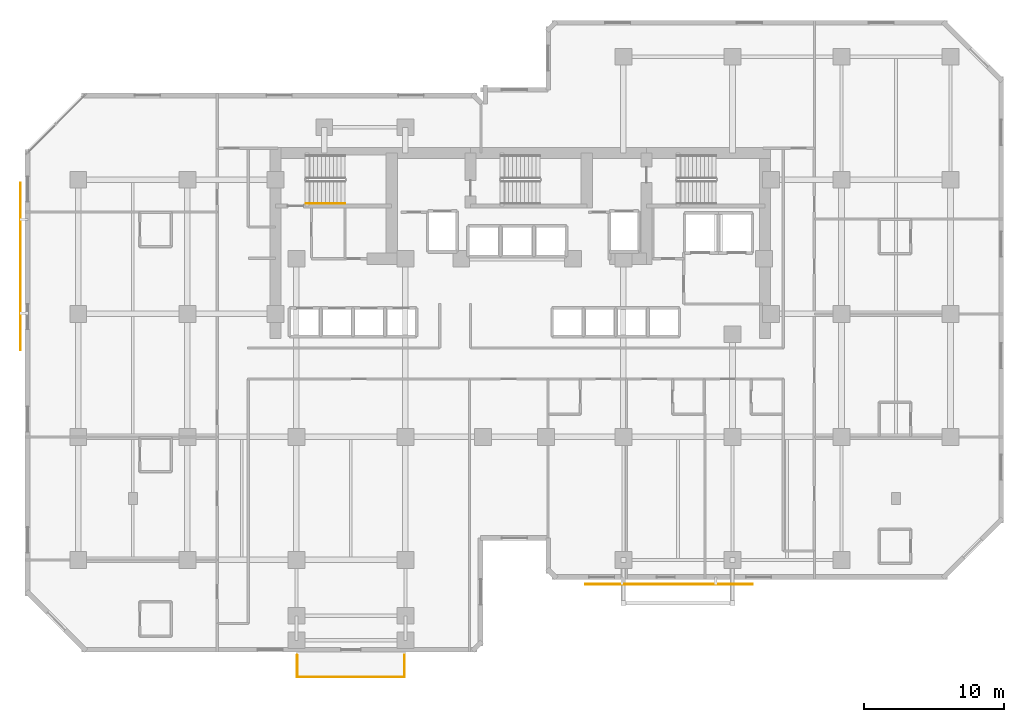
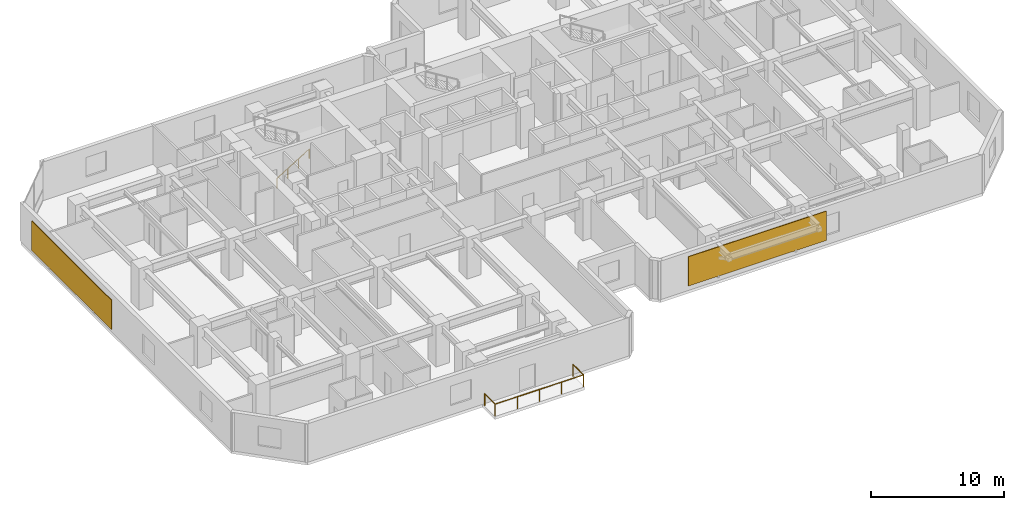
# One storey, part 11 of 12: 3 railings, 2 shading devices.
"""IFC4 building model written with IfcOpenShell, lengths in metres."""

from ifc_helpers import new_model, si_unit, direction, frame, origin, origin_2d, place, context, subcontext, project, spatial, rectangle, circle, extrude, material, layer, layer_set, type_object, element, save


model = new_model("IFC4")

# Units and contexts
model_context = context("Model", 3, precision=1e-05, world=origin(), true_north=direction((0.0, 1.0)))
body_context = subcontext(model_context, "Body", "Model", "MODEL_VIEW")
ifc_project = project(units=[si_unit("LENGTHUNIT", "METRE"), si_unit("AREAUNIT", "SQUARE_METRE"), si_unit("VOLUMEUNIT", "CUBIC_METRE"), si_unit("PLANEANGLEUNIT", "RADIAN"), si_unit("MASSUNIT", "GRAM", prefix="KILO")], contexts=[model_context])

# Site, building, storey
site_placement = place(None, origin())
site = spatial("IfcSite", under=ifc_project, at=site_placement, CompositionType="ELEMENT")
building_placement = place(site_placement, origin())
building = spatial("IfcBuilding", under=site, at=building_placement, Name="Kestravale Grand Hotel", CompositionType="ELEMENT")
storey_placement = place(building_placement, frame((0.0, 0.0, 103.199951171875)))
storey = spatial("IfcBuildingStorey", under=building, at=storey_placement, Name="L25", CompositionType="ELEMENT", Elevation=103.199951171875)

# Railings
ifc_material_1 = material(Name="Champagne-bronze stainless steel and laminated glass guard", Category="steel")
railing_type_1 = type_object("IfcRailingType", Name="RL-EXT-1100", PredefinedType="GUARDRAIL", material=ifc_material_1)
railing_1_placement = place(storey_placement, frame((23.4599609375, 2.81005859375, 0.0)))
element("IfcRailing", 1, at=railing_1_placement, inside=storey, type_object=railing_type_1, Name="L25 outdoor terrace guard 1", PredefinedType="GUARDRAIL", context=body_context, shape_type="SweptSolid", body=[
    extrude(circle(Radius=0.02392578125, at=origin_2d()), frame((0.0, 0.0, 1.09619140625), z_axis=(0.0, 1.0, 0.0), x_axis=(-1.0, 0.0, 0.0)), (0.0, 0.0, 1.0), 1.56982421875),
    extrude(circle(Radius=0.02099609375, at=origin_2d()), origin(), (0.0, 0.0, 1.0), 1.072021484375),
    extrude(circle(Radius=0.02099609375, at=origin_2d()), frame((0.0, 1.56982421875, 0.0)), (0.0, 0.0, 1.0), 1.072021484375),
])
railing_2_placement = place(storey_placement, frame((31.139892578125, 4.3798828125, 0.0)))
element("IfcRailing", 2, at=railing_2_placement, inside=storey, type_object=railing_type_1, Name="L25 outdoor terrace guard 2", PredefinedType="GUARDRAIL", context=body_context, shape_type="SweptSolid", body=[
    extrude(circle(Radius=0.02392578125, at=origin_2d()), frame((0.0, 0.0, 1.09619140625), z_axis=(0.0, -1.0, 0.0), x_axis=(1.0, 0.0, 0.0)), (0.0, 0.0, 1.0), 1.56982421875),
    extrude(circle(Radius=0.02392578125, at=origin_2d()), frame((0.0, -1.56982421875, 1.09619140625), z_axis=(-1.0, 0.0, 0.0), x_axis=(0.0, -1.0, 0.0)), (0.0, 0.0, 1.0), 7.679931640625),
    extrude(circle(Radius=0.02099609375, at=origin_2d()), origin(), (0.0, 0.0, 1.0), 1.072021484375),
    extrude(circle(Radius=0.02099609375, at=origin_2d()), frame((0.0, -1.56982421875, 0.0)), (0.0, 0.0, 1.0), 1.072021484375),
    extrude(circle(Radius=0.02099609375, at=origin_2d()), frame((-1.919921875, -1.56982421875, 0.0)), (0.0, 0.0, 1.0), 1.072021484375),
    extrude(circle(Radius=0.02099609375, at=origin_2d()), frame((-3.83984375, -1.56982421875, 0.0)), (0.0, 0.0, 1.0), 1.072021484375),
    extrude(circle(Radius=0.02099609375, at=origin_2d()), frame((-5.760009765625, -1.56982421875, 0.0)), (0.0, 0.0, 1.0), 1.072021484375),
    extrude(circle(Radius=0.02099609375, at=origin_2d()), frame((-7.679931640625, -1.56982421875, 0.0)), (0.0, 0.0, 1.0), 1.072021484375),
])
ifc_material_2 = material(Name="Brushed stainless steel wall handrail", Category="steel")
railing_type_2 = type_object("IfcRailingType", Name="RL-ST-HND900", PredefinedType="HANDRAIL", material=ifc_material_2)
railing_3_placement = place(storey_placement, frame((24.080078125, 36.699951171875, 0.1728515625)))
element("IfcRailing", 3, at=railing_3_placement, inside=storey, type_object=railing_type_2, Name="L25 ST-1 stair handrail 1", PredefinedType="HANDRAIL", context=body_context, shape_type="SweptSolid", body=[
    extrude(circle(Radius=0.02392578125, at=origin_2d()), frame((0.0, 0.0, 0.8759765625), z_axis=(0.851069175582, 0.0, 0.525053576669), x_axis=(0.0, 1.0, 0.0)), (0.0, 0.0, 1.0), 3.289794921875),
    extrude(circle(Radius=0.02099609375, at=origin_2d()), origin(), (0.0, 0.0, 1.0), 0.851806640625),
    extrude(circle(Radius=0.02099609375, at=origin_2d()), frame((0.933349609375, 0.0, 0.57568359375)), (0.0, 0.0, 1.0), 0.851806640625),
    extrude(circle(Radius=0.02099609375, at=origin_2d()), frame((1.866455078125, 0.0, 1.151611328125)), (0.0, 0.0, 1.0), 0.851806640625),
    extrude(circle(Radius=0.02099609375, at=origin_2d()), frame((2.7998046875, 0.0, 1.727294921875)), (0.0, 0.0, 1.0), 0.851806640625),
])

# Shading devices
ifc_material_3 = material(Name="Perforated champagne-bronze aluminium and ceramic solar screen", Category="aluminium")
ifc_layer = layer(ifc_material_3, 0.06494140625)
ifc_layer_set = layer_set([ifc_layer], Name="SHD-SCR-CHEV")
shading_device_type = type_object("IfcShadingDeviceType", Name="SHD-SCR-CHEV", PredefinedType="USERDEFINED", material=ifc_layer_set)
for number, where, z_axis, x_axis, name in (
    (4, (50.050048828125, 9.4599609375, 0.7001953125), (0.0, 0.0, 1.0), (1.0, 0.0, 0.0), "L25 Perforated bronze ceramic chevron solar screen SCR-L25-07"),
    (5, (3.659912109375, 32.199951171875, 0.7001953125), (0.0, 0.0, 1.0), (0.0, -1.0, 0.0), "L25 Perforated bronze ceramic chevron solar screen SCR-L25-19"),
):
    element("IfcShadingDevice", number, at=place(storey_placement, frame(where, z_axis=z_axis, x_axis=x_axis)), inside=storey, type_object=shading_device_type, Name=name, ObjectType="SCREEN", PredefinedType="USERDEFINED", context=body_context, shape_type="SweptSolid", body=[
        extrude(rectangle(XDim=12.0, YDim=0.06494140625, at=origin_2d()), origin(), (0.0, 0.0, 1.0), 2.68994140625),
    ])

save(model, "model.ifc")
